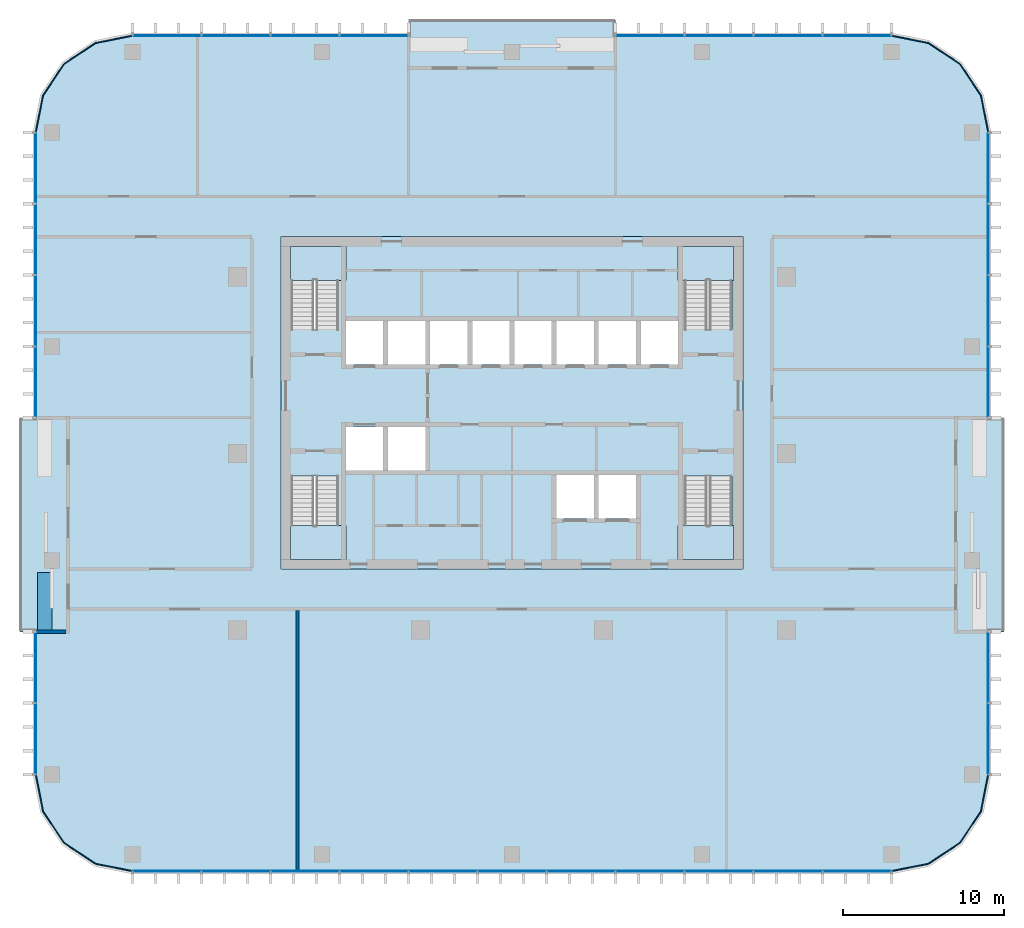
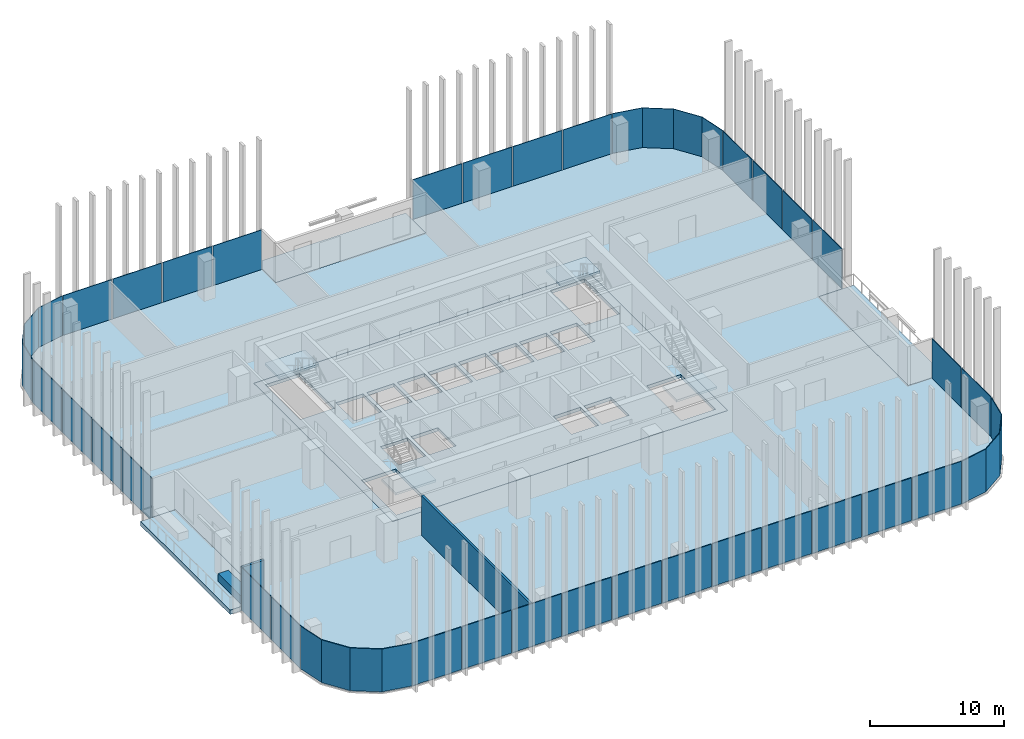
# One storey, part 6 of 16: 35 plates, 9 slabs, 3 walls, 15 elements without a shape of their own.
"""IFC4 building model written with IfcOpenShell, lengths in metres."""

from ifc_helpers import new_model, si_unit, direction, frame, frame_2d, origin, origin_2d, place, context, subcontext, project, spatial, polyline, rectangle, outline, extrude, material, layer, layer_set, type_object, element, aggregate, save


model = new_model("IFC4")

# Units and contexts
model_context = context("Model", 3, precision=1e-05, world=origin(), true_north=direction((0.0, 1.0)))
body_context = subcontext(model_context, "Body", "Model", "MODEL_VIEW")
ifc_project = project(units=[si_unit("LENGTHUNIT", "METRE"), si_unit("AREAUNIT", "SQUARE_METRE"), si_unit("VOLUMEUNIT", "CUBIC_METRE"), si_unit("PLANEANGLEUNIT", "RADIAN"), si_unit("MASSUNIT", "GRAM", prefix="KILO")], contexts=[model_context])

# Site, building, storey
site_placement = place(None, origin())
site = spatial("IfcSite", under=ifc_project, at=site_placement, CompositionType="ELEMENT")
building_placement = place(site_placement, origin())
building = spatial("IfcBuilding", under=site, at=building_placement, Name="Mopane Tessera Tower", CompositionType="ELEMENT")
storey_placement = place(building_placement, frame((0.0, 0.0, 267.39990234375)))
storey = spatial("IfcBuildingStorey", under=building, at=storey_placement, Name="L57", CompositionType="ELEMENT", Elevation=267.39990234375)

# Slab
ifc_material_1 = material(Name="Concrete C40/50", Category="concrete")
ifc_layer_1 = layer(ifc_material_1, 0.300048828125)
ifc_layer_set_1 = layer_set([ifc_layer_1], Name="Concrete C40/50")
slab_type_1 = type_object("IfcSlabType", Name="Core floor slab 300 mm", PredefinedType="FLOOR", material=ifc_layer_set_1)
slab_1_placement = place(storey_placement, frame((0.0, 0.0, -0.2998046875)))
element("IfcSlab", 1, at=slab_1_placement, inside=storey, type_object=slab_type_1, Name="L57 core floor slab", PredefinedType="FLOOR", context=body_context, shape_type="SweptSolid", body=[
    extrude(outline(polyline([(-14.39990234375, -7.199951171875), (14.39990234375, -7.199951171875), (14.39990234375, 13.5), (-14.39990234375, 13.5), (-14.39990234375, -7.199951171875)]), holes=[polyline([(-10.35009765625, -1.050048828125), (-8.02490234375, -1.050048828125), (-8.02490234375, 1.64990234375), (-10.35009765625, 1.64990234375), (-10.35009765625, -1.050048828125)]), polyline([(-7.72509765625, -1.050048828125), (-5.39990234375, -1.050048828125), (-5.39990234375, 1.64990234375), (-7.72509765625, 1.64990234375), (-7.72509765625, -1.050048828125)]), polyline([(-10.35009765625, 5.550048828125), (-8.02490234375, 5.550048828125), (-8.02490234375, 8.25), (-10.35009765625, 8.25), (-10.35009765625, 5.550048828125)]), polyline([(-7.72509765625, 5.550048828125), (-5.39990234375, 5.550048828125), (-5.39990234375, 8.25), (-7.72509765625, 8.25), (-7.72509765625, 5.550048828125)]), polyline([(-5.10009765625, 5.550048828125), (-2.77490234375, 5.550048828125), (-2.77490234375, 8.25), (-5.10009765625, 8.25), (-5.10009765625, 5.550048828125)]), polyline([(-2.47509765625, 5.550048828125), (-0.14990234375, 5.550048828125), (-0.14990234375, 8.25), (-2.47509765625, 8.25), (-2.47509765625, 5.550048828125)]), polyline([(0.14990234375, 5.550048828125), (2.47509765625, 5.550048828125), (2.47509765625, 8.25), (0.14990234375, 8.25), (0.14990234375, 5.550048828125)]), polyline([(2.77490234375, 5.550048828125), (5.10009765625, 5.550048828125), (5.10009765625, 8.25), (2.77490234375, 8.25), (2.77490234375, 5.550048828125)]), polyline([(5.39990234375, 5.550048828125), (7.72509765625, 5.550048828125), (7.72509765625, 8.25), (5.39990234375, 8.25), (5.39990234375, 5.550048828125)]), polyline([(8.02490234375, 5.550048828125), (10.35009765625, 5.550048828125), (10.35009765625, 8.25), (8.02490234375, 8.25), (8.02490234375, 5.550048828125)]), polyline([(2.77490234375, -4.050048828125), (5.10009765625, -4.050048828125), (5.10009765625, -1.35009765625), (2.77490234375, -1.35009765625), (2.77490234375, -4.050048828125)]), polyline([(5.39990234375, -4.050048828125), (7.72509765625, -4.050048828125), (7.72509765625, -1.35009765625), (5.39990234375, -1.35009765625), (5.39990234375, -4.050048828125)]), polyline([(-13.75, -1.405029296875), (-13.75, -6.60009765625), (-10.800048828125, -6.60009765625), (-10.800048828125, -1.405029296875), (-13.75, -1.405029296875)]), polyline([(-10.800048828125, 7.705078125), (-10.800048828125, 12.89990234375), (-13.75, 12.89990234375), (-13.75, 7.705078125), (-10.800048828125, 7.705078125)]), polyline([(10.75, -1.405029296875), (10.75, -6.60009765625), (13.699951171875, -6.60009765625), (13.699951171875, -1.405029296875), (10.75, -1.405029296875)]), polyline([(13.699951171875, 7.705078125), (13.699951171875, 12.89990234375), (10.75, 12.89990234375), (10.75, 7.705078125), (13.699951171875, 7.705078125)])]), origin(), (0.0, 0.0, 1.0), 0.2998046875),
])

# Stair, slab
ifc_material_2 = material(Name="Concrete C50/60", Category="concrete")
stair_type = type_object("IfcStairType", Name="Escape stair 1400 mm, riser 167 mm", PredefinedType="HALF_TURN_STAIR", material=ifc_material_2)
stair_1_placement = place(storey_placement, origin())
stair_1 = element("IfcStair", 2, at=stair_1_placement, inside=storey, type_object=stair_type, Name="L57 Escape stair south-west", PredefinedType="HALF_TURN_STAIR")
ifc_material_3 = material(Name="Concrete C50/60", Category="concrete")
ifc_layer_2 = layer(ifc_material_3, 0.199951171875)
ifc_layer_set_2 = layer_set([ifc_layer_2], Name="Concrete C50/60")
slab_type_2 = type_object("IfcSlabType", Name="Escape stair landing 200 mm", PredefinedType="LANDING", material=ifc_layer_set_2)
slab_2_placement = place(storey_placement, frame((0.0, 0.0, 1.800048828125)))
slab_2 = element("IfcSlab", 3, at=slab_2_placement, type_object=slab_type_2, Name="ST1 landing 1", PredefinedType="LANDING", context=body_context, shape_type="SweptSolid", body=[
    extrude(outline(polyline([(-13.800048828125, -4.47998046875), (-13.800048828125, -6.60009765625), (-10.35009765625, -6.60009765625), (-10.35009765625, -4.47998046875), (-13.800048828125, -4.47998046875)])), origin(), (0.0, 0.0, 1.0), 0.199951171875),
])
aggregate(stair_1, [slab_2])

stair_2_placement = place(storey_placement, origin())
stair_2 = element("IfcStair", 4, at=stair_2_placement, inside=storey, type_object=stair_type, Name="L57 Escape stair north-west", PredefinedType="HALF_TURN_STAIR")
slab_3_placement = place(storey_placement, frame((0.0, 0.0, 1.800048828125)))
slab_3 = element("IfcSlab", 5, at=slab_3_placement, type_object=slab_type_2, Name="ST2 landing 1", PredefinedType="LANDING", context=body_context, shape_type="SweptSolid", body=[
    extrude(outline(polyline([(-10.35009765625, 10.780029296875), (-10.35009765625, 12.89990234375), (-13.800048828125, 12.89990234375), (-13.800048828125, 10.780029296875), (-10.35009765625, 10.780029296875)])), origin(), (0.0, 0.0, 1.0), 0.199951171875),
])
aggregate(stair_2, [slab_3])

stair_3_placement = place(storey_placement, origin())
stair_3 = element("IfcStair", 6, at=stair_3_placement, inside=storey, type_object=stair_type, Name="L57 Escape stair south-east", PredefinedType="HALF_TURN_STAIR")
slab_4_placement = place(storey_placement, frame((0.0, 0.0, 1.800048828125)))
slab_4 = element("IfcSlab", 7, at=slab_4_placement, type_object=slab_type_2, Name="ST3 landing 1", PredefinedType="LANDING", context=body_context, shape_type="SweptSolid", body=[
    extrude(outline(polyline([(10.35009765625, -4.47998046875), (10.35009765625, -6.60009765625), (13.800048828125, -6.60009765625), (13.800048828125, -4.47998046875), (10.35009765625, -4.47998046875)])), origin(), (0.0, 0.0, 1.0), 0.199951171875),
])
aggregate(stair_3, [slab_4])

stair_4_placement = place(storey_placement, origin())
stair_4 = element("IfcStair", 8, at=stair_4_placement, inside=storey, type_object=stair_type, Name="L57 Escape stair north-east", PredefinedType="HALF_TURN_STAIR")
slab_5_placement = place(storey_placement, frame((0.0, 0.0, 1.800048828125)))
slab_5 = element("IfcSlab", 9, at=slab_5_placement, type_object=slab_type_2, Name="ST4 landing 1", PredefinedType="LANDING", context=body_context, shape_type="SweptSolid", body=[
    extrude(outline(polyline([(13.800048828125, 10.780029296875), (13.800048828125, 12.89990234375), (10.35009765625, 12.89990234375), (10.35009765625, 10.780029296875), (13.800048828125, 10.780029296875)])), origin(), (0.0, 0.0, 1.0), 0.199951171875),
])
aggregate(stair_4, [slab_5])

# Slabs
ifc_material_4 = material(Name="Concrete C40/50", Category="concrete")
ifc_layer_3 = layer(ifc_material_4, 0.39990234375)
ifc_layer_set_3 = layer_set([ifc_layer_3], Name="Concrete C40/50")
slab_type_3 = type_object("IfcSlabType", Name="Planted terrace slab 400 mm", PredefinedType="FLOOR", material=ifc_layer_set_3)
slab_6_placement = place(storey_placement, frame((0.0, 0.0, -0.39990234375)))
element("IfcSlab", 10, at=slab_6_placement, inside=storey, type_object=slab_type_3, Name="Terrace slab N1 L57", PredefinedType="FLOOR", context=body_context, shape_type="SweptSolid", body=[
    extrude(outline(polyline([(30.64990234375, 2.22216796875), (27.64990234375, 2.22216796875), (27.64990234375, -11.111083984375), (30.64990234375, -11.111083984375), (30.64990234375, 2.22216796875)])), origin(), (0.0, 0.0, 1.0), 0.39990234375),
])
slab_7_placement = place(storey_placement, frame((0.0, 0.0, -0.39990234375)))
element("IfcSlab", 11, at=slab_7_placement, inside=storey, type_object=slab_type_3, Name="Terrace slab N2 L57", PredefinedType="FLOOR", context=body_context, shape_type="SweptSolid", body=[
    extrude(outline(polyline([(-6.449951171875, 27.0), (-6.449951171875, 24.0), (6.449951171875, 24.0), (6.449951171875, 27.0), (-6.449951171875, 27.0)])), origin(), (0.0, 0.0, 1.0), 0.39990234375),
])
slab_8_placement = place(storey_placement, frame((0.0, 0.0, -0.39990234375)))
element("IfcSlab", 12, at=slab_8_placement, inside=storey, type_object=slab_type_3, Name="Terrace slab N3 L57", PredefinedType="FLOOR", context=body_context, shape_type="SweptSolid", body=[
    extrude(outline(polyline([(-30.64990234375, -11.111083984375), (-27.64990234375, -11.111083984375), (-27.64990234375, 2.22216796875), (-30.64990234375, 2.22216796875), (-30.64990234375, -11.111083984375)])), origin(), (0.0, 0.0, 1.0), 0.39990234375),
])
ifc_material_5 = material(Name="Concrete C40/50", Category="concrete")
ifc_layer_4 = layer(ifc_material_5, 0.39990234375)
ifc_layer_set_4 = layer_set([ifc_layer_4], Name="Concrete C40/50")
slab_type_4 = type_object("IfcSlabType", Name="Post-tensioned flat plate 400 mm", PredefinedType="FLOOR", material=ifc_layer_set_4)
slab_9_placement = place(storey_placement, frame((0.0, 0.0, -0.39990234375)))
element("IfcSlab", 13, at=slab_9_placement, inside=storey, type_object=slab_type_4, Name="Floor slab L57", PredefinedType="FLOOR", context=body_context, shape_type="SweptSolid", body=[
    extrude(outline(polyline([(29.64990234375, -20.0), (29.64990234375, -11.111083984375), (27.64990234375, -11.111083984375), (27.64990234375, 2.22216796875), (29.64990234375, 2.22216796875), (29.64990234375, 20.0), (29.193359375, 22.296142578125), (27.892578125, 24.24267578125), (25.946044921875, 25.543212890625), (23.64990234375, 26.0), (6.449951171875, 26.0), (6.449951171875, 24.0), (-6.449951171875, 24.0), (-6.449951171875, 26.0), (-23.64990234375, 26.0), (-25.946044921875, 25.543212890625), (-27.892578125, 24.24267578125), (-29.193359375, 22.296142578125), (-29.64990234375, 20.0), (-29.64990234375, 2.22216796875), (-27.64990234375, 2.22216796875), (-27.64990234375, -11.111083984375), (-29.64990234375, -11.111083984375), (-29.64990234375, -20.0), (-29.193359375, -22.296142578125), (-27.892578125, -24.24267578125), (-25.946044921875, -25.543212890625), (-23.64990234375, -26.0), (23.64990234375, -26.0), (25.946044921875, -25.543212890625), (27.892578125, -24.24267578125), (29.193359375, -22.296142578125), (29.64990234375, -20.0)]), holes=[polyline([(14.39990234375, -7.199951171875), (-14.39990234375, -7.199951171875), (-14.39990234375, 13.5), (14.39990234375, 13.5), (14.39990234375, -7.199951171875)])]), origin(), (0.0, 0.0, 1.0), 0.39990234375),
])

# Curtain wall, plates
ifc_material_6 = material(Name="Aluminium frame", Category="aluminium")
curtain_wall_type = type_object("IfcCurtainWallType", Name="Unitised curtain wall", PredefinedType="NOTDEFINED", material=ifc_material_6)
curtain_wall_1_placement = place(storey_placement, origin())
curtain_wall_1 = element("IfcCurtainWall", 14, at=curtain_wall_1_placement, inside=storey, type_object=curtain_wall_type, Name="e:cw:L57:S:0", PredefinedType="NOTDEFINED")
ifc_material_7 = material(Name="Clear laminated glass", Category="glass")
ifc_layer_5 = layer(ifc_material_7, 0.06005859375)
ifc_layer_set_5 = layer_set([ifc_layer_5], Name="Clear laminated glass")
plate_type = type_object("IfcPlateType", Name="Unitised glazed unit", PredefinedType="CURTAIN_PANEL", material=ifc_layer_set_5)
plate_1_placement = place(storey_placement, frame((-21.5, -26.030029296875, -0.27978515625), z_axis=(0.0, 0.0, 1.0), x_axis=(1.0, 0.0, 0.0)))
plate_1 = element("IfcPlate", 15, at=plate_1_placement, type_object=plate_type, Name="e:cw:L57:S:0:pn0", PredefinedType="CURTAIN_PANEL", context=body_context, shape_type="SweptSolid", body=[
    extrude(rectangle(XDim=4.199951171875, YDim=0.06005859375, at=origin_2d()), origin(), (0.0, 0.0, 1.0), 3.8798828125),
])
plate_2_placement = place(storey_placement, frame((-17.199951171875, -26.030029296875, -0.27978515625), z_axis=(0.0, 0.0, 1.0), x_axis=(1.0, 0.0, 0.0)))
plate_2 = element("IfcPlate", 16, at=plate_2_placement, type_object=plate_type, Name="e:cw:L57:S:0:pn1", PredefinedType="CURTAIN_PANEL", context=body_context, shape_type="SweptSolid", body=[
    extrude(rectangle(XDim=4.199951171875, YDim=0.06005859375, at=origin_2d()), origin(), (0.0, 0.0, 1.0), 3.8798828125),
])
plate_3_placement = place(storey_placement, frame((-12.89990234375, -26.030029296875, -0.27978515625), z_axis=(0.0, 0.0, 1.0), x_axis=(1.0, 0.0, 0.0)))
plate_3 = element("IfcPlate", 17, at=plate_3_placement, type_object=plate_type, Name="e:cw:L57:S:0:pn2", PredefinedType="CURTAIN_PANEL", context=body_context, shape_type="SweptSolid", body=[
    extrude(rectangle(XDim=4.199951171875, YDim=0.06005859375, at=origin_2d()), origin(), (0.0, 0.0, 1.0), 3.8798828125),
])
plate_4_placement = place(storey_placement, frame((-8.60009765625, -26.030029296875, -0.27978515625), z_axis=(0.0, 0.0, 1.0), x_axis=(1.0, 0.0, 0.0)))
plate_4 = element("IfcPlate", 18, at=plate_4_placement, type_object=plate_type, Name="e:cw:L57:S:0:pn3", PredefinedType="CURTAIN_PANEL", context=body_context, shape_type="SweptSolid", body=[
    extrude(rectangle(XDim=4.199951171875, YDim=0.06005859375, at=origin_2d()), origin(), (0.0, 0.0, 1.0), 3.8798828125),
])
plate_5_placement = place(storey_placement, frame((-4.300048828125, -26.030029296875, -0.27978515625), z_axis=(0.0, 0.0, 1.0), x_axis=(1.0, 0.0, 0.0)))
plate_5 = element("IfcPlate", 19, at=plate_5_placement, type_object=plate_type, Name="e:cw:L57:S:0:pn4", PredefinedType="CURTAIN_PANEL", context=body_context, shape_type="SweptSolid", body=[
    extrude(rectangle(XDim=4.199951171875, YDim=0.06005859375, at=origin_2d()), origin(), (0.0, 0.0, 1.0), 3.8798828125),
])
plate_6_placement = place(storey_placement, frame((0.0, -26.030029296875, -0.27978515625), z_axis=(0.0, 0.0, 1.0), x_axis=(1.0, 0.0, 0.0)))
plate_6 = element("IfcPlate", 20, at=plate_6_placement, type_object=plate_type, Name="e:cw:L57:S:0:pn5", PredefinedType="CURTAIN_PANEL", context=body_context, shape_type="SweptSolid", body=[
    extrude(rectangle(XDim=4.199951171875, YDim=0.06005859375, at=origin_2d()), origin(), (0.0, 0.0, 1.0), 3.8798828125),
])
plate_7_placement = place(storey_placement, frame((4.300048828125, -26.030029296875, -0.27978515625), z_axis=(0.0, 0.0, 1.0), x_axis=(1.0, 0.0, 0.0)))
plate_7 = element("IfcPlate", 21, at=plate_7_placement, type_object=plate_type, Name="e:cw:L57:S:0:pn6", PredefinedType="CURTAIN_PANEL", context=body_context, shape_type="SweptSolid", body=[
    extrude(rectangle(XDim=4.199951171875, YDim=0.06005859375, at=origin_2d()), origin(), (0.0, 0.0, 1.0), 3.8798828125),
])
plate_8_placement = place(storey_placement, frame((8.60009765625, -26.030029296875, -0.27978515625), z_axis=(0.0, 0.0, 1.0), x_axis=(1.0, 0.0, 0.0)))
plate_8 = element("IfcPlate", 22, at=plate_8_placement, type_object=plate_type, Name="e:cw:L57:S:0:pn7", PredefinedType="CURTAIN_PANEL", context=body_context, shape_type="SweptSolid", body=[
    extrude(rectangle(XDim=4.199951171875, YDim=0.06005859375, at=origin_2d()), origin(), (0.0, 0.0, 1.0), 3.8798828125),
])
plate_9_placement = place(storey_placement, frame((12.89990234375, -26.030029296875, -0.27978515625), z_axis=(0.0, 0.0, 1.0), x_axis=(1.0, 0.0, 0.0)))
plate_9 = element("IfcPlate", 23, at=plate_9_placement, type_object=plate_type, Name="e:cw:L57:S:0:pn8", PredefinedType="CURTAIN_PANEL", context=body_context, shape_type="SweptSolid", body=[
    extrude(rectangle(XDim=4.199951171875, YDim=0.06005859375, at=origin_2d()), origin(), (0.0, 0.0, 1.0), 3.8798828125),
])
plate_10_placement = place(storey_placement, frame((17.199951171875, -26.030029296875, -0.27978515625), z_axis=(0.0, 0.0, 1.0), x_axis=(1.0, 0.0, 0.0)))
plate_10 = element("IfcPlate", 24, at=plate_10_placement, type_object=plate_type, Name="e:cw:L57:S:0:pn9", PredefinedType="CURTAIN_PANEL", context=body_context, shape_type="SweptSolid", body=[
    extrude(rectangle(XDim=4.199951171875, YDim=0.06005859375, at=origin_2d()), origin(), (0.0, 0.0, 1.0), 3.8798828125),
])
plate_11_placement = place(storey_placement, frame((21.5, -26.030029296875, -0.27978515625), z_axis=(0.0, 0.0, 1.0), x_axis=(1.0, 0.0, 0.0)))
plate_11 = element("IfcPlate", 25, at=plate_11_placement, type_object=plate_type, Name="e:cw:L57:S:0:pn10", PredefinedType="CURTAIN_PANEL", context=body_context, shape_type="SweptSolid", body=[
    extrude(rectangle(XDim=4.199951171875, YDim=0.06005859375, at=origin_2d()), origin(), (0.0, 0.0, 1.0), 3.8798828125),
])
aggregate(curtain_wall_1, [plate_1, plate_2, plate_3, plate_4, plate_5, plate_6, plate_7, plate_8, plate_9, plate_10, plate_11])

# Curtain wall, plate
curtain_wall_2_placement = place(storey_placement, origin())
curtain_wall_2 = element("IfcCurtainWall", 26, at=curtain_wall_2_placement, inside=storey, type_object=curtain_wall_type, Name="e:cw:L57:CS", PredefinedType="NOTDEFINED")
plate_12_placement = place(storey_placement, frame((0.0, 0.0, -0.27978515625)))
plate_12 = element("IfcPlate", 27, at=plate_12_placement, type_object=plate_type, Name="e:cw:L57:CS:pn", PredefinedType="CURTAIN_PANEL", context=body_context, shape_type="SweptSolid", body=[
    extrude(outline(polyline([(23.64990234375, -26.0), (25.946044921875, -25.543212890625), (27.892578125, -24.24267578125), (29.193359375, -22.296142578125), (29.64990234375, -20.0), (29.7099609375, -20.0), (29.248779296875, -22.319091796875), (27.93505859375, -24.28515625), (25.968994140625, -25.5986328125), (23.64990234375, -26.06005859375), (23.64990234375, -26.0)])), origin(), (0.0, 0.0, 1.0), 3.8798828125),
])
aggregate(curtain_wall_2, [plate_12])

# Curtain wall, plates
curtain_wall_3_placement = place(storey_placement, origin())
curtain_wall_3 = element("IfcCurtainWall", 28, at=curtain_wall_3_placement, inside=storey, type_object=curtain_wall_type, Name="e:cw:L57:E:0", PredefinedType="NOTDEFINED")
plate_13_placement = place(storey_placement, frame((29.679931640625, -17.77783203125, -0.27978515625), z_axis=(0.0, 0.0, 1.0), x_axis=(0.0, 1.0, 0.0)))
plate_13 = element("IfcPlate", 29, at=plate_13_placement, type_object=plate_type, Name="e:cw:L57:E:0:pn0", PredefinedType="CURTAIN_PANEL", context=body_context, shape_type="SweptSolid", body=[
    extrude(rectangle(XDim=4.344482421875, YDim=0.06005859375, at=origin_2d()), origin(), (0.0, 0.0, 1.0), 3.8798828125),
])
plate_14_placement = place(storey_placement, frame((29.679931640625, -13.333251953125, -0.27978515625), z_axis=(0.0, 0.0, 1.0), x_axis=(0.0, 1.0, 0.0)))
plate_14 = element("IfcPlate", 30, at=plate_14_placement, type_object=plate_type, Name="e:cw:L57:E:0:pn1", PredefinedType="CURTAIN_PANEL", context=body_context, shape_type="SweptSolid", body=[
    extrude(rectangle(XDim=4.344482421875, YDim=0.06005859375, at=origin_2d()), origin(), (0.0, 0.0, 1.0), 3.8798828125),
])
aggregate(curtain_wall_3, [plate_13, plate_14])

curtain_wall_4_placement = place(storey_placement, origin())
curtain_wall_4 = element("IfcCurtainWall", 31, at=curtain_wall_4_placement, inside=storey, type_object=curtain_wall_type, Name="e:cw:L57:E:5", PredefinedType="NOTDEFINED")
plate_15_placement = place(storey_placement, frame((29.679931640625, 4.4443359375, -0.27978515625), z_axis=(0.0, 0.0, 1.0), x_axis=(0.0, 1.0, 0.0)))
plate_15 = element("IfcPlate", 32, at=plate_15_placement, type_object=plate_type, Name="e:cw:L57:E:5:pn5", PredefinedType="CURTAIN_PANEL", context=body_context, shape_type="SweptSolid", body=[
    extrude(rectangle(XDim=4.344482421875, YDim=0.06005859375, at=origin_2d()), origin(), (0.0, 0.0, 1.0), 3.8798828125),
])
plate_16_placement = place(storey_placement, frame((29.679931640625, 8.888916015625, -0.27978515625), z_axis=(0.0, 0.0, 1.0), x_axis=(0.0, 1.0, 0.0)))
plate_16 = element("IfcPlate", 33, at=plate_16_placement, type_object=plate_type, Name="e:cw:L57:E:5:pn6", PredefinedType="CURTAIN_PANEL", context=body_context, shape_type="SweptSolid", body=[
    extrude(rectangle(XDim=4.344482421875, YDim=0.06005859375, at=origin_2d()), origin(), (0.0, 0.0, 1.0), 3.8798828125),
])
plate_17_placement = place(storey_placement, frame((29.679931640625, 13.333251953125, -0.27978515625), z_axis=(0.0, 0.0, 1.0), x_axis=(0.0, 1.0, 0.0)))
plate_17 = element("IfcPlate", 34, at=plate_17_placement, type_object=plate_type, Name="e:cw:L57:E:5:pn7", PredefinedType="CURTAIN_PANEL", context=body_context, shape_type="SweptSolid", body=[
    extrude(rectangle(XDim=4.344482421875, YDim=0.06005859375, at=origin_2d()), origin(), (0.0, 0.0, 1.0), 3.8798828125),
])
plate_18_placement = place(storey_placement, frame((29.679931640625, 17.77783203125, -0.27978515625), z_axis=(0.0, 0.0, 1.0), x_axis=(0.0, 1.0, 0.0)))
plate_18 = element("IfcPlate", 35, at=plate_18_placement, type_object=plate_type, Name="e:cw:L57:E:5:pn8", PredefinedType="CURTAIN_PANEL", context=body_context, shape_type="SweptSolid", body=[
    extrude(rectangle(XDim=4.344482421875, YDim=0.06005859375, at=origin_2d()), origin(), (0.0, 0.0, 1.0), 3.8798828125),
])
aggregate(curtain_wall_4, [plate_15, plate_16, plate_17, plate_18])

# Curtain wall, plate
curtain_wall_5_placement = place(storey_placement, origin())
curtain_wall_5 = element("IfcCurtainWall", 36, at=curtain_wall_5_placement, inside=storey, type_object=curtain_wall_type, Name="e:cw:L57:CE", PredefinedType="NOTDEFINED")
plate_19_placement = place(storey_placement, frame((0.0, 0.0, -0.27978515625)))
plate_19 = element("IfcPlate", 37, at=plate_19_placement, type_object=plate_type, Name="e:cw:L57:CE:pn", PredefinedType="CURTAIN_PANEL", context=body_context, shape_type="SweptSolid", body=[
    extrude(outline(polyline([(29.64990234375, 20.0), (29.193359375, 22.296142578125), (27.892578125, 24.24267578125), (25.946044921875, 25.543212890625), (23.64990234375, 26.0), (23.64990234375, 26.06005859375), (25.968994140625, 25.5986328125), (27.93505859375, 24.28515625), (29.248779296875, 22.319091796875), (29.7099609375, 20.0), (29.64990234375, 20.0)])), origin(), (0.0, 0.0, 1.0), 3.8798828125),
])
aggregate(curtain_wall_5, [plate_19])

# Curtain wall, plates
curtain_wall_6_placement = place(storey_placement, origin())
curtain_wall_6 = element("IfcCurtainWall", 38, at=curtain_wall_6_placement, inside=storey, type_object=curtain_wall_type, Name="e:cw:L57:N:0", PredefinedType="NOTDEFINED")
plate_20_placement = place(storey_placement, frame((21.5, 26.030029296875, -0.27978515625), z_axis=(0.0, 0.0, 1.0), x_axis=(-1.0, 0.0, 0.0)))
plate_20 = element("IfcPlate", 39, at=plate_20_placement, type_object=plate_type, Name="e:cw:L57:N:0:pn0", PredefinedType="CURTAIN_PANEL", context=body_context, shape_type="SweptSolid", body=[
    extrude(rectangle(XDim=4.199951171875, YDim=0.06005859375, at=origin_2d()), origin(), (0.0, 0.0, 1.0), 3.8798828125),
])
plate_21_placement = place(storey_placement, frame((17.199951171875, 26.030029296875, -0.27978515625), z_axis=(0.0, 0.0, 1.0), x_axis=(-1.0, 0.0, 0.0)))
plate_21 = element("IfcPlate", 40, at=plate_21_placement, type_object=plate_type, Name="e:cw:L57:N:0:pn1", PredefinedType="CURTAIN_PANEL", context=body_context, shape_type="SweptSolid", body=[
    extrude(rectangle(XDim=4.199951171875, YDim=0.06005859375, at=origin_2d()), origin(), (0.0, 0.0, 1.0), 3.8798828125),
])
plate_22_placement = place(storey_placement, frame((12.89990234375, 26.030029296875, -0.27978515625), z_axis=(0.0, 0.0, 1.0), x_axis=(-1.0, 0.0, 0.0)))
plate_22 = element("IfcPlate", 41, at=plate_22_placement, type_object=plate_type, Name="e:cw:L57:N:0:pn2", PredefinedType="CURTAIN_PANEL", context=body_context, shape_type="SweptSolid", body=[
    extrude(rectangle(XDim=4.199951171875, YDim=0.06005859375, at=origin_2d()), origin(), (0.0, 0.0, 1.0), 3.8798828125),
])
plate_23_placement = place(storey_placement, frame((8.60009765625, 26.030029296875, -0.27978515625), z_axis=(0.0, 0.0, 1.0), x_axis=(-1.0, 0.0, 0.0)))
plate_23 = element("IfcPlate", 42, at=plate_23_placement, type_object=plate_type, Name="e:cw:L57:N:0:pn3", PredefinedType="CURTAIN_PANEL", context=body_context, shape_type="SweptSolid", body=[
    extrude(rectangle(XDim=4.199951171875, YDim=0.06005859375, at=origin_2d()), origin(), (0.0, 0.0, 1.0), 3.8798828125),
])
aggregate(curtain_wall_6, [plate_20, plate_21, plate_22, plate_23])

curtain_wall_7_placement = place(storey_placement, origin())
curtain_wall_7 = element("IfcCurtainWall", 43, at=curtain_wall_7_placement, inside=storey, type_object=curtain_wall_type, Name="e:cw:L57:N:7", PredefinedType="NOTDEFINED")
plate_24_placement = place(storey_placement, frame((-8.60009765625, 26.030029296875, -0.27978515625), z_axis=(0.0, 0.0, 1.0), x_axis=(-1.0, 0.0, 0.0)))
plate_24 = element("IfcPlate", 44, at=plate_24_placement, type_object=plate_type, Name="e:cw:L57:N:7:pn7", PredefinedType="CURTAIN_PANEL", context=body_context, shape_type="SweptSolid", body=[
    extrude(rectangle(XDim=4.199951171875, YDim=0.06005859375, at=origin_2d()), origin(), (0.0, 0.0, 1.0), 3.8798828125),
])
plate_25_placement = place(storey_placement, frame((-12.89990234375, 26.030029296875, -0.27978515625), z_axis=(0.0, 0.0, 1.0), x_axis=(-1.0, 0.0, 0.0)))
plate_25 = element("IfcPlate", 45, at=plate_25_placement, type_object=plate_type, Name="e:cw:L57:N:7:pn8", PredefinedType="CURTAIN_PANEL", context=body_context, shape_type="SweptSolid", body=[
    extrude(rectangle(XDim=4.199951171875, YDim=0.06005859375, at=origin_2d()), origin(), (0.0, 0.0, 1.0), 3.8798828125),
])
plate_26_placement = place(storey_placement, frame((-17.199951171875, 26.030029296875, -0.27978515625), z_axis=(0.0, 0.0, 1.0), x_axis=(-1.0, 0.0, 0.0)))
plate_26 = element("IfcPlate", 46, at=plate_26_placement, type_object=plate_type, Name="e:cw:L57:N:7:pn9", PredefinedType="CURTAIN_PANEL", context=body_context, shape_type="SweptSolid", body=[
    extrude(rectangle(XDim=4.199951171875, YDim=0.06005859375, at=origin_2d()), origin(), (0.0, 0.0, 1.0), 3.8798828125),
])
plate_27_placement = place(storey_placement, frame((-21.5, 26.030029296875, -0.27978515625), z_axis=(0.0, 0.0, 1.0), x_axis=(-1.0, 0.0, 0.0)))
plate_27 = element("IfcPlate", 47, at=plate_27_placement, type_object=plate_type, Name="e:cw:L57:N:7:pn10", PredefinedType="CURTAIN_PANEL", context=body_context, shape_type="SweptSolid", body=[
    extrude(rectangle(XDim=4.199951171875, YDim=0.06005859375, at=origin_2d()), origin(), (0.0, 0.0, 1.0), 3.8798828125),
])
aggregate(curtain_wall_7, [plate_24, plate_25, plate_26, plate_27])

# Curtain wall, plate
curtain_wall_8_placement = place(storey_placement, origin())
curtain_wall_8 = element("IfcCurtainWall", 48, at=curtain_wall_8_placement, inside=storey, type_object=curtain_wall_type, Name="e:cw:L57:CN", PredefinedType="NOTDEFINED")
plate_28_placement = place(storey_placement, frame((0.0, 0.0, -0.27978515625)))
plate_28 = element("IfcPlate", 49, at=plate_28_placement, type_object=plate_type, Name="e:cw:L57:CN:pn", PredefinedType="CURTAIN_PANEL", context=body_context, shape_type="SweptSolid", body=[
    extrude(outline(polyline([(-23.64990234375, 26.0), (-25.946044921875, 25.543212890625), (-27.892578125, 24.24267578125), (-29.193359375, 22.296142578125), (-29.64990234375, 20.0), (-29.7099609375, 20.0), (-29.248779296875, 22.319091796875), (-27.93505859375, 24.28515625), (-25.968994140625, 25.5986328125), (-23.64990234375, 26.06005859375), (-23.64990234375, 26.0)])), origin(), (0.0, 0.0, 1.0), 3.8798828125),
])
aggregate(curtain_wall_8, [plate_28])

# Curtain wall, plates
curtain_wall_9_placement = place(storey_placement, origin())
curtain_wall_9 = element("IfcCurtainWall", 50, at=curtain_wall_9_placement, inside=storey, type_object=curtain_wall_type, Name="e:cw:L57:W:0", PredefinedType="NOTDEFINED")
plate_29_placement = place(storey_placement, frame((-29.679931640625, 17.77783203125, -0.27978515625), z_axis=(0.0, 0.0, 1.0), x_axis=(0.0, -1.0, 0.0)))
plate_29 = element("IfcPlate", 51, at=plate_29_placement, type_object=plate_type, Name="e:cw:L57:W:0:pn0", PredefinedType="CURTAIN_PANEL", context=body_context, shape_type="SweptSolid", body=[
    extrude(rectangle(XDim=4.344482421875, YDim=0.06005859375, at=origin_2d()), origin(), (0.0, 0.0, 1.0), 3.8798828125),
])
plate_30_placement = place(storey_placement, frame((-29.679931640625, 13.333251953125, -0.27978515625), z_axis=(0.0, 0.0, 1.0), x_axis=(0.0, -1.0, 0.0)))
plate_30 = element("IfcPlate", 52, at=plate_30_placement, type_object=plate_type, Name="e:cw:L57:W:0:pn1", PredefinedType="CURTAIN_PANEL", context=body_context, shape_type="SweptSolid", body=[
    extrude(rectangle(XDim=4.344482421875, YDim=0.06005859375, at=origin_2d()), origin(), (0.0, 0.0, 1.0), 3.8798828125),
])
plate_31_placement = place(storey_placement, frame((-29.679931640625, 8.888916015625, -0.27978515625), z_axis=(0.0, 0.0, 1.0), x_axis=(0.0, -1.0, 0.0)))
plate_31 = element("IfcPlate", 53, at=plate_31_placement, type_object=plate_type, Name="e:cw:L57:W:0:pn2", PredefinedType="CURTAIN_PANEL", context=body_context, shape_type="SweptSolid", body=[
    extrude(rectangle(XDim=4.344482421875, YDim=0.06005859375, at=origin_2d()), origin(), (0.0, 0.0, 1.0), 3.8798828125),
])
plate_32_placement = place(storey_placement, frame((-29.679931640625, 4.4443359375, -0.27978515625), z_axis=(0.0, 0.0, 1.0), x_axis=(0.0, -1.0, 0.0)))
plate_32 = element("IfcPlate", 54, at=plate_32_placement, type_object=plate_type, Name="e:cw:L57:W:0:pn3", PredefinedType="CURTAIN_PANEL", context=body_context, shape_type="SweptSolid", body=[
    extrude(rectangle(XDim=4.344482421875, YDim=0.06005859375, at=origin_2d()), origin(), (0.0, 0.0, 1.0), 3.8798828125),
])
aggregate(curtain_wall_9, [plate_29, plate_30, plate_31, plate_32])

curtain_wall_10_placement = place(storey_placement, origin())
curtain_wall_10 = element("IfcCurtainWall", 55, at=curtain_wall_10_placement, inside=storey, type_object=curtain_wall_type, Name="e:cw:L57:W:7", PredefinedType="NOTDEFINED")
plate_33_placement = place(storey_placement, frame((-29.679931640625, -13.333251953125, -0.27978515625), z_axis=(0.0, 0.0, 1.0), x_axis=(0.0, -1.0, 0.0)))
plate_33 = element("IfcPlate", 56, at=plate_33_placement, type_object=plate_type, Name="e:cw:L57:W:7:pn7", PredefinedType="CURTAIN_PANEL", context=body_context, shape_type="SweptSolid", body=[
    extrude(rectangle(XDim=4.344482421875, YDim=0.06005859375, at=origin_2d()), origin(), (0.0, 0.0, 1.0), 3.8798828125),
])
plate_34_placement = place(storey_placement, frame((-29.679931640625, -17.77783203125, -0.27978515625), z_axis=(0.0, 0.0, 1.0), x_axis=(0.0, -1.0, 0.0)))
plate_34 = element("IfcPlate", 57, at=plate_34_placement, type_object=plate_type, Name="e:cw:L57:W:7:pn8", PredefinedType="CURTAIN_PANEL", context=body_context, shape_type="SweptSolid", body=[
    extrude(rectangle(XDim=4.344482421875, YDim=0.06005859375, at=origin_2d()), origin(), (0.0, 0.0, 1.0), 3.8798828125),
])
aggregate(curtain_wall_10, [plate_33, plate_34])

# Curtain wall, plate
curtain_wall_11_placement = place(storey_placement, origin())
curtain_wall_11 = element("IfcCurtainWall", 58, at=curtain_wall_11_placement, inside=storey, type_object=curtain_wall_type, Name="e:cw:L57:CW", PredefinedType="NOTDEFINED")
plate_35_placement = place(storey_placement, frame((0.0, 0.0, -0.27978515625)))
plate_35 = element("IfcPlate", 59, at=plate_35_placement, type_object=plate_type, Name="e:cw:L57:CW:pn", PredefinedType="CURTAIN_PANEL", context=body_context, shape_type="SweptSolid", body=[
    extrude(outline(polyline([(-29.64990234375, -20.0), (-29.193359375, -22.296142578125), (-27.892578125, -24.24267578125), (-25.946044921875, -25.543212890625), (-23.64990234375, -26.0), (-23.64990234375, -26.06005859375), (-25.968994140625, -25.5986328125), (-27.93505859375, -24.28515625), (-29.248779296875, -22.319091796875), (-29.7099609375, -20.0), (-29.64990234375, -20.0)])), origin(), (0.0, 0.0, 1.0), 3.8798828125),
])
aggregate(curtain_wall_11, [plate_35])

# Walls
ifc_material_8 = material(Name="Gypsum board on staggered steel studs, double layer each face, acoustic mineral wool infill", Category="steel")
ifc_layer_6 = layer(ifc_material_8, 0.175048828125)
ifc_layer_set_6 = layer_set([ifc_layer_6], Name="Gypsum board on staggered steel studs, double layer each face, acoustic mineral wool infill")
wall_type_1 = type_object("IfcWallType", Name="Gypsum board acoustic partition 175, rated EI 60", PredefinedType="PARTITIONING", material=ifc_layer_set_6)
wall_1_placement = place(storey_placement, frame((-13.364990234375, -25.949951171875, 0.0), z_axis=(0.0, 0.0, 1.0), x_axis=(0.0, 1.0, 0.0)))
element("IfcWall", 60, at=wall_1_placement, inside=storey, type_object=wall_type_1, Name="Partition L57:012", PredefinedType="PARTITIONING", context=body_context, shape_type="SweptSolid", body=[
    extrude(rectangle(XDim=16.14990234375, YDim=0.175048828125, at=frame_2d((8.074951171875, 0.0))), origin(), (0.0, 0.0, 1.0), 3.60009765625),
])
ifc_material_9 = material(Name="Reinforced concrete C32/40 with waterproofing", Category="concrete")
ifc_layer_7 = layer(ifc_material_9, 0.89990234375)
ifc_layer_set_7 = layer_set([ifc_layer_7], Name="Reinforced concrete C32/40 with waterproofing")
wall_type_2 = type_object("IfcWallType", Name="Planter trough 3600 x 900", PredefinedType="STANDARD", material=ifc_layer_set_7)
wall_2_placement = place(storey_placement, frame((-29.10009765625, -7.4111328125, 0.0), z_axis=(0.0, 0.0, 1.0), x_axis=(0.0, -1.0, 0.0)))
element("IfcWall", 61, at=wall_2_placement, inside=storey, type_object=wall_type_2, Name="e:nw:L57:N3:pl1", PredefinedType="STANDARD", context=body_context, shape_type="SweptSolid", body=[
    extrude(rectangle(XDim=3.60009765625, YDim=0.89990234375, at=frame_2d((1.800048828125, 0.0))), origin(), (0.0, 0.0, 1.0), 0.7001953125),
])
ifc_material_10 = material(Name="Blockwork with glazed tile facing", Category="masonry")
ifc_layer_8 = layer(ifc_material_10, 0.199951171875)
ifc_layer_set_8 = layer_set([ifc_layer_8], Name="Blockwork with glazed tile facing")
wall_type_3 = type_object("IfcWallType", Name="Terrace cheek wall 200", PredefinedType="STANDARD", material=ifc_layer_set_8)
wall_3_placement = place(storey_placement, frame((-29.64990234375, -11.111083984375, 0.0), z_axis=(0.0, 0.0, 1.0), x_axis=(1.0, 0.0, 0.0)))
element("IfcWall", 62, at=wall_3_placement, inside=storey, type_object=wall_type_3, Name="e:nw:L57:N3:cheekb", PredefinedType="STANDARD", context=body_context, shape_type="SweptSolid", body=[
    extrude(rectangle(XDim=1.875, YDim=0.199951171875, at=frame_2d((0.9375, 0.0))), origin(), (0.0, 0.0, 1.0), 3.60009765625),
])

save(model, "model.ifc")
